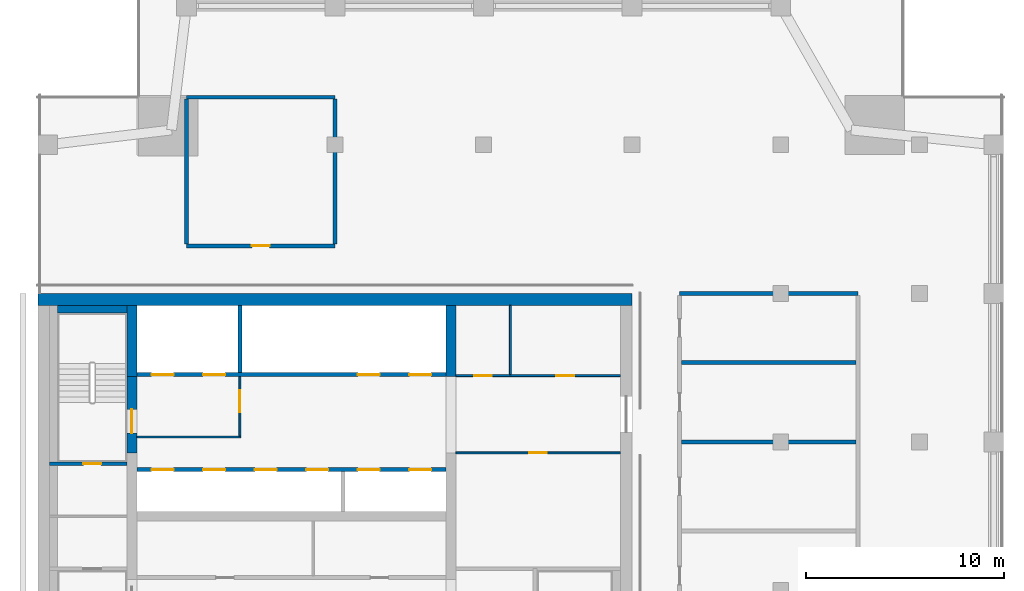
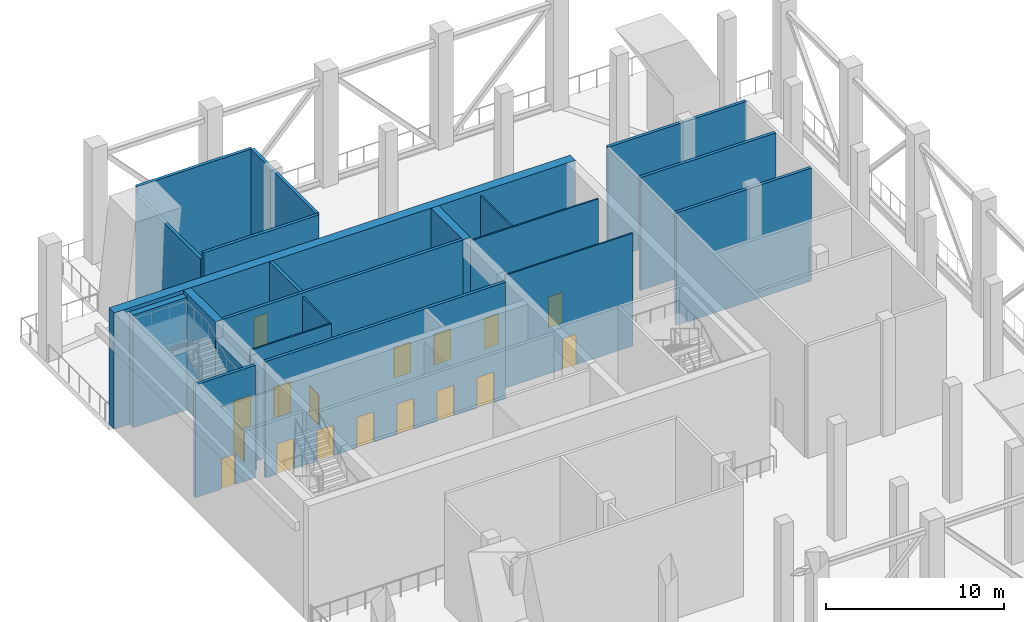
# One storey, part 3 of 11: 21 walls, 17 doors, 17 openings.
"""IFC4 building model written with IfcOpenShell, lengths in metres."""

from ifc_helpers import new_model, si_unit, direction, frame, frame_2d, origin, place, context, subcontext, project, spatial, rectangle, extrude, material, layer, layer_set, type_object, element, fill, save


model = new_model("IFC4")

# Units and contexts
model_context = context("Model", 3, precision=1e-05, world=origin(), true_north=direction((0.0, 1.0)))
body_context = subcontext(model_context, "Body", "Model", "MODEL_VIEW")
ifc_project = project(units=[si_unit("LENGTHUNIT", "METRE"), si_unit("AREAUNIT", "SQUARE_METRE"), si_unit("VOLUMEUNIT", "CUBIC_METRE"), si_unit("PLANEANGLEUNIT", "RADIAN"), si_unit("MASSUNIT", "GRAM", prefix="KILO")], contexts=[model_context])

# Site, building, storey
site_placement = place(None, origin())
site = spatial("IfcSite", under=ifc_project, at=site_placement, CompositionType="ELEMENT")
building_placement = place(site_placement, origin())
building = spatial("IfcBuilding", under=site, at=building_placement, Name="Tamorin Gate", CompositionType="ELEMENT")
storey_placement = place(building_placement, frame((0.0, 0.0, 258.199951171875)))
storey = spatial("IfcBuildingStorey", under=building, at=storey_placement, Name="L65", CompositionType="ELEMENT", Elevation=258.199951171875)

# Wall, openings, doors
ifc_material_1 = material(Name="Concrete C32/40", Category="concrete")
ifc_layer_1 = layer(ifc_material_1, 0.199951171875)
ifc_layer_set_1 = layer_set([ifc_layer_1], Name="Lift lobby face wall 200 EI 120")
wall_type_1 = type_object("IfcWallType", Name="Lift lobby face wall 200 EI 120", PredefinedType="SOLIDWALL", material=ifc_layer_set_1)
wall_1_placement = place(storey_placement, frame((35.0, 73.60009765625, 0.0), z_axis=(0.0, 0.0, 1.0), x_axis=(1.0, 0.0, 0.0)))
wall_1 = element("IfcWall", 1, at=wall_1_placement, inside=storey, type_object=wall_type_1, Name="Lift lobby face wall", PredefinedType="SOLIDWALL", context=body_context, shape_type="SweptSolid", body=[
    extrude(rectangle(XDim=15.60009765625, YDim=0.199951171875, at=frame_2d((7.800048828125, 0.0))), origin(), (0.0, 0.0, 1.0), 8.0),
])
opening_1_placement = place(wall_1_placement, frame((0.75, 0.0, 0.0)))
opening_1 = element("IfcOpeningElement", 2, at=opening_1_placement, cuts=wall_1, Name="Opening LD11", PredefinedType="OPENING", context=body_context, shape_type="SweptSolid", body=[
    extrude(rectangle(XDim=1.10009765625, YDim=2.10009765625, at=frame_2d((0.550048828125, 1.050048828125))), frame((0.0, 0.10986328125, 0.0), z_axis=(0.0, -1.0, 0.0), x_axis=(1.0, 0.0, 0.0)), (0.0, 0.0, 1.0), 0.219970703125),
])
opening_2_placement = place(wall_1_placement, frame((3.35009765625, 0.0, 0.0)))
opening_2 = element("IfcOpeningElement", 3, at=opening_2_placement, cuts=wall_1, Name="Opening LD12", PredefinedType="OPENING", context=body_context, shape_type="SweptSolid", body=[
    extrude(rectangle(XDim=1.10009765625, YDim=2.10009765625, at=frame_2d((0.550048828125, 1.050048828125))), frame((0.0, 0.10986328125, 0.0), z_axis=(0.0, -1.0, 0.0), x_axis=(1.0, 0.0, 0.0)), (0.0, 0.0, 1.0), 0.219970703125),
])
opening_3_placement = place(wall_1_placement, frame((5.949951171875, 0.0, 0.0)))
opening_3 = element("IfcOpeningElement", 4, at=opening_3_placement, cuts=wall_1, Name="Opening LD13", PredefinedType="OPENING", context=body_context, shape_type="SweptSolid", body=[
    extrude(rectangle(XDim=1.10009765625, YDim=2.10009765625, at=frame_2d((0.550048828125, 1.050048828125))), frame((0.0, 0.10986328125, 0.0), z_axis=(0.0, -1.0, 0.0), x_axis=(1.0, 0.0, 0.0)), (0.0, 0.0, 1.0), 0.219970703125),
])
opening_4_placement = place(wall_1_placement, frame((8.550048828125, 0.0, 0.0)))
opening_4 = element("IfcOpeningElement", 5, at=opening_4_placement, cuts=wall_1, Name="Opening LD14", PredefinedType="OPENING", context=body_context, shape_type="SweptSolid", body=[
    extrude(rectangle(XDim=1.10009765625, YDim=2.10009765625, at=frame_2d((0.550048828125, 1.050048828125))), frame((0.0, 0.10986328125, 0.0), z_axis=(0.0, -1.0, 0.0), x_axis=(1.0, 0.0, 0.0)), (0.0, 0.0, 1.0), 0.219970703125),
])
opening_5_placement = place(wall_1_placement, frame((11.14990234375, 0.0, 0.0)))
opening_5 = element("IfcOpeningElement", 6, at=opening_5_placement, cuts=wall_1, Name="Opening LD15", PredefinedType="OPENING", context=body_context, shape_type="SweptSolid", body=[
    extrude(rectangle(XDim=1.10009765625, YDim=2.10009765625, at=frame_2d((0.550048828125, 1.050048828125))), frame((0.0, 0.10986328125, 0.0), z_axis=(0.0, -1.0, 0.0), x_axis=(1.0, 0.0, 0.0)), (0.0, 0.0, 1.0), 0.219970703125),
])
opening_6_placement = place(wall_1_placement, frame((13.75, 0.0, 0.0)))
opening_6 = element("IfcOpeningElement", 7, at=opening_6_placement, cuts=wall_1, Name="Opening LD16", PredefinedType="OPENING", context=body_context, shape_type="SweptSolid", body=[
    extrude(rectangle(XDim=1.10009765625, YDim=2.10009765625, at=frame_2d((0.550048828125, 1.050048828125))), frame((0.0, 0.10986328125, 0.0), z_axis=(0.0, -1.0, 0.0), x_axis=(1.0, 0.0, 0.0)), (0.0, 0.0, 1.0), 0.219970703125),
])
ifc_material_2 = material(Name="Stainless steel sliding door", Category="steel")
door_type_1 = type_object("IfcDoorType", Name="Lift landing door 1100 x 2100 E 90", OperationType="DOUBLE_DOOR_SLIDING", PredefinedType="DOOR", material=ifc_material_2)
door_1_placement = place(opening_1_placement, origin())
door_1 = element("IfcDoor", 8, at=door_1_placement, inside=storey, type_object=door_type_1, Name="HR1 landing door", OperationType="DOUBLE_DOOR_SLIDING", OverallHeight=2.10009765625, OverallWidth=1.10009765625, PredefinedType="DOOR", context=body_context, shape_type="SweptSolid", body=[
    extrude(rectangle(XDim=1.10009765625, YDim=2.10009765625, at=frame_2d((0.550048828125, 1.050048828125))), frame((0.0, 0.02490234375, 0.0), z_axis=(0.0, -1.0, 0.0), x_axis=(1.0, 0.0, 0.0)), (0.0, 0.0, 1.0), 0.050048828125),
])
fill(opening_1, door_1)
door_2_placement = place(opening_2_placement, origin())
door_2 = element("IfcDoor", 9, at=door_2_placement, inside=storey, type_object=door_type_1, Name="HR2 landing door", OperationType="DOUBLE_DOOR_SLIDING", OverallHeight=2.10009765625, OverallWidth=1.10009765625, PredefinedType="DOOR", context=body_context, shape_type="SweptSolid", body=[
    extrude(rectangle(XDim=1.10009765625, YDim=2.10009765625, at=frame_2d((0.550048828125, 1.050048828125))), frame((0.0, 0.02490234375, 0.0), z_axis=(0.0, -1.0, 0.0), x_axis=(1.0, 0.0, 0.0)), (0.0, 0.0, 1.0), 0.050048828125),
])
fill(opening_2, door_2)
door_3_placement = place(opening_3_placement, origin())
door_3 = element("IfcDoor", 10, at=door_3_placement, inside=storey, type_object=door_type_1, Name="HR3 landing door", OperationType="DOUBLE_DOOR_SLIDING", OverallHeight=2.10009765625, OverallWidth=1.10009765625, PredefinedType="DOOR", context=body_context, shape_type="SweptSolid", body=[
    extrude(rectangle(XDim=1.10009765625, YDim=2.10009765625, at=frame_2d((0.550048828125, 1.050048828125))), frame((0.0, 0.02490234375, 0.0), z_axis=(0.0, -1.0, 0.0), x_axis=(1.0, 0.0, 0.0)), (0.0, 0.0, 1.0), 0.050048828125),
])
fill(opening_3, door_3)
door_4_placement = place(opening_4_placement, origin())
door_4 = element("IfcDoor", 11, at=door_4_placement, inside=storey, type_object=door_type_1, Name="HR4 landing door", OperationType="DOUBLE_DOOR_SLIDING", OverallHeight=2.10009765625, OverallWidth=1.10009765625, PredefinedType="DOOR", context=body_context, shape_type="SweptSolid", body=[
    extrude(rectangle(XDim=1.10009765625, YDim=2.10009765625, at=frame_2d((0.550048828125, 1.050048828125))), frame((0.0, 0.02490234375, 0.0), z_axis=(0.0, -1.0, 0.0), x_axis=(1.0, 0.0, 0.0)), (0.0, 0.0, 1.0), 0.050048828125),
])
fill(opening_4, door_4)
door_5_placement = place(opening_5_placement, origin())
door_5 = element("IfcDoor", 12, at=door_5_placement, inside=storey, type_object=door_type_1, Name="HR5 landing door", OperationType="DOUBLE_DOOR_SLIDING", OverallHeight=2.10009765625, OverallWidth=1.10009765625, PredefinedType="DOOR", context=body_context, shape_type="SweptSolid", body=[
    extrude(rectangle(XDim=1.10009765625, YDim=2.10009765625, at=frame_2d((0.550048828125, 1.050048828125))), frame((0.0, 0.02490234375, 0.0), z_axis=(0.0, -1.0, 0.0), x_axis=(1.0, 0.0, 0.0)), (0.0, 0.0, 1.0), 0.050048828125),
])
fill(opening_5, door_5)
door_6_placement = place(opening_6_placement, origin())
door_6 = element("IfcDoor", 13, at=door_6_placement, inside=storey, type_object=door_type_1, Name="HR6 landing door", OperationType="DOUBLE_DOOR_SLIDING", OverallHeight=2.10009765625, OverallWidth=1.10009765625, PredefinedType="DOOR", context=body_context, shape_type="SweptSolid", body=[
    extrude(rectangle(XDim=1.10009765625, YDim=2.10009765625, at=frame_2d((0.550048828125, 1.050048828125))), frame((0.0, 0.02490234375, 0.0), z_axis=(0.0, -1.0, 0.0), x_axis=(1.0, 0.0, 0.0)), (0.0, 0.0, 1.0), 0.050048828125),
])
fill(opening_6, door_6)

wall_2_placement = place(storey_placement, frame((35.0, 78.39990234375, 0.0), z_axis=(0.0, 0.0, 1.0), x_axis=(1.0, 0.0, 0.0)))
wall_2 = element("IfcWall", 14, at=wall_2_placement, inside=storey, type_object=wall_type_1, Name="Lift lobby face wall", PredefinedType="SOLIDWALL", context=body_context, shape_type="SweptSolid", body=[
    extrude(rectangle(XDim=15.60009765625, YDim=0.199951171875, at=frame_2d((7.800048828125, 0.0))), origin(), (0.0, 0.0, 1.0), 8.0),
])
opening_7_placement = place(wall_2_placement, frame((0.75, 0.0, 0.0)))
opening_7 = element("IfcOpeningElement", 15, at=opening_7_placement, cuts=wall_2, Name="Opening LD17", PredefinedType="OPENING", context=body_context, shape_type="SweptSolid", body=[
    extrude(rectangle(XDim=1.10009765625, YDim=2.10009765625, at=frame_2d((0.550048828125, 1.050048828125))), frame((0.0, 0.10986328125, 0.0), z_axis=(0.0, -1.0, 0.0), x_axis=(1.0, 0.0, 0.0)), (0.0, 0.0, 1.0), 0.219970703125),
])
opening_8_placement = place(wall_2_placement, frame((3.35009765625, 0.0, 0.0)))
opening_8 = element("IfcOpeningElement", 16, at=opening_8_placement, cuts=wall_2, Name="Opening LD18", PredefinedType="OPENING", context=body_context, shape_type="SweptSolid", body=[
    extrude(rectangle(XDim=1.10009765625, YDim=2.10009765625, at=frame_2d((0.550048828125, 1.050048828125))), frame((0.0, 0.10986328125, 0.0), z_axis=(0.0, -1.0, 0.0), x_axis=(1.0, 0.0, 0.0)), (0.0, 0.0, 1.0), 0.219970703125),
])
opening_9_placement = place(wall_2_placement, frame((11.14990234375, 0.0, 0.0)))
opening_9 = element("IfcOpeningElement", 17, at=opening_9_placement, cuts=wall_2, Name="Opening LD21", PredefinedType="OPENING", context=body_context, shape_type="SweptSolid", body=[
    extrude(rectangle(XDim=1.10009765625, YDim=2.10009765625, at=frame_2d((0.550048828125, 1.050048828125))), frame((0.0, 0.10986328125, 0.0), z_axis=(0.0, -1.0, 0.0), x_axis=(1.0, 0.0, 0.0)), (0.0, 0.0, 1.0), 0.219970703125),
])
opening_10_placement = place(wall_2_placement, frame((13.75, 0.0, 0.0)))
opening_10 = element("IfcOpeningElement", 18, at=opening_10_placement, cuts=wall_2, Name="Opening LD22", PredefinedType="OPENING", context=body_context, shape_type="SweptSolid", body=[
    extrude(rectangle(XDim=1.10009765625, YDim=2.10009765625, at=frame_2d((0.550048828125, 1.050048828125))), frame((0.0, 0.10986328125, 0.0), z_axis=(0.0, -1.0, 0.0), x_axis=(1.0, 0.0, 0.0)), (0.0, 0.0, 1.0), 0.219970703125),
])
door_7_placement = place(opening_7_placement, origin())
door_7 = element("IfcDoor", 19, at=door_7_placement, inside=storey, type_object=door_type_1, Name="FF1 landing door", OperationType="DOUBLE_DOOR_SLIDING", OverallHeight=2.10009765625, OverallWidth=1.10009765625, PredefinedType="DOOR", context=body_context, shape_type="SweptSolid", body=[
    extrude(rectangle(XDim=1.10009765625, YDim=2.10009765625, at=frame_2d((0.550048828125, 1.050048828125))), frame((0.0, 0.02490234375, 0.0), z_axis=(0.0, -1.0, 0.0), x_axis=(1.0, 0.0, 0.0)), (0.0, 0.0, 1.0), 0.050048828125),
])
fill(opening_7, door_7)
door_8_placement = place(opening_8_placement, origin())
door_8 = element("IfcDoor", 20, at=door_8_placement, inside=storey, type_object=door_type_1, Name="FF2 landing door", OperationType="DOUBLE_DOOR_SLIDING", OverallHeight=2.10009765625, OverallWidth=1.10009765625, PredefinedType="DOOR", context=body_context, shape_type="SweptSolid", body=[
    extrude(rectangle(XDim=1.10009765625, YDim=2.10009765625, at=frame_2d((0.550048828125, 1.050048828125))), frame((0.0, 0.02490234375, 0.0), z_axis=(0.0, -1.0, 0.0), x_axis=(1.0, 0.0, 0.0)), (0.0, 0.0, 1.0), 0.050048828125),
])
fill(opening_8, door_8)
door_9_placement = place(opening_9_placement, origin())
door_9 = element("IfcDoor", 21, at=door_9_placement, inside=storey, type_object=door_type_1, Name="SV1 landing door", OperationType="DOUBLE_DOOR_SLIDING", OverallHeight=2.10009765625, OverallWidth=1.10009765625, PredefinedType="DOOR", context=body_context, shape_type="SweptSolid", body=[
    extrude(rectangle(XDim=1.10009765625, YDim=2.10009765625, at=frame_2d((0.550048828125, 1.050048828125))), frame((0.0, 0.02490234375, 0.0), z_axis=(0.0, -1.0, 0.0), x_axis=(1.0, 0.0, 0.0)), (0.0, 0.0, 1.0), 0.050048828125),
])
fill(opening_9, door_9)
door_10_placement = place(opening_10_placement, origin())
door_10 = element("IfcDoor", 22, at=door_10_placement, inside=storey, type_object=door_type_1, Name="SV2 landing door", OperationType="DOUBLE_DOOR_SLIDING", OverallHeight=2.10009765625, OverallWidth=1.10009765625, PredefinedType="DOOR", context=body_context, shape_type="SweptSolid", body=[
    extrude(rectangle(XDim=1.10009765625, YDim=2.10009765625, at=frame_2d((0.550048828125, 1.050048828125))), frame((0.0, 0.02490234375, 0.0), z_axis=(0.0, -1.0, 0.0), x_axis=(1.0, 0.0, 0.0)), (0.0, 0.0, 1.0), 0.050048828125),
])
fill(opening_10, door_10)

# Walls
ifc_layer_2 = layer(ifc_material_1, 0.199951171875)
ifc_layer_set_2 = layer_set([ifc_layer_2], Name="Lift shaft wall 200 EI 120")
wall_type_2 = type_object("IfcWallType", Name="Lift shaft wall 200 EI 120", PredefinedType="SOLIDWALL", material=ifc_layer_set_2)
wall_3_placement = place(storey_placement, frame((40.199951171875, 78.5, 0.0), z_axis=(0.0, 0.0, 1.0), x_axis=(0.0, 1.0, 0.0)))
element("IfcWall", 23, at=wall_3_placement, inside=storey, type_object=wall_type_2, Name="Lift shaft wall", PredefinedType="SOLIDWALL", context=body_context, shape_type="SweptSolid", body=[
    extrude(rectangle(XDim=3.39990234375, YDim=0.199951171875, at=frame_2d((1.699951171875, 0.0))), origin(), (0.0, 0.0, 1.0), 8.0),
])
ifc_material_3 = material(Name="Fire-rated gypsum board partition")
ifc_layer_3 = layer(ifc_material_3, 0.10009765625)
ifc_layer_set_3 = layer_set([ifc_layer_3], Name="Lobby wall 100 EI 60")
wall_type_3 = type_object("IfcWallType", Name="Lobby wall 100 EI 60", PredefinedType="PARTITIONING", material=ifc_layer_set_3)
wall_4_placement = place(storey_placement, frame((35.0, 75.25, 0.0), z_axis=(0.0, 0.0, 1.0), x_axis=(1.0, 0.0, 0.0)))
element("IfcWall", 24, at=wall_4_placement, inside=storey, type_object=wall_type_3, Name="Firefighting lobby wall", PredefinedType="PARTITIONING", context=body_context, shape_type="SweptSolid", body=[
    extrude(rectangle(XDim=5.25, YDim=0.10009765625, at=frame_2d((2.625, 0.0))), origin(), (0.0, 0.0, 1.0), 7.75),
])

# Wall, opening, door
wall_5_placement = place(storey_placement, frame((40.199951171875, 75.300048828125, 0.0), z_axis=(0.0, 0.0, 1.0), x_axis=(0.0, 1.0, 0.0)))
wall_5 = element("IfcWall", 25, at=wall_5_placement, inside=storey, type_object=wall_type_3, Name="Firefighting lobby wall", PredefinedType="PARTITIONING", context=body_context, shape_type="SweptSolid", body=[
    extrude(rectangle(XDim=3.0, YDim=0.10009765625, at=frame_2d((1.5, 0.0))), origin(), (0.0, 0.0, 1.0), 7.75),
])
opening_11_placement = place(wall_5_placement, frame((1.199951171875, 0.0, 0.0)))
opening_11 = element("IfcOpeningElement", 26, at=opening_11_placement, cuts=wall_5, Name="Opening DF1", PredefinedType="OPENING", context=body_context, shape_type="SweptSolid", body=[
    extrude(rectangle(XDim=1.10009765625, YDim=2.10009765625, at=frame_2d((0.550048828125, 1.050048828125))), frame((0.0, 0.06005859375, 0.0), z_axis=(0.0, -1.0, 0.0), x_axis=(1.0, 0.0, 0.0)), (0.0, 0.0, 1.0), 0.1201171875),
])
ifc_material_4 = material(Name="Steel fire door", Category="steel")
door_type_2 = type_object("IfcDoorType", Name="Firefighting lobby door 1100 x 2100 EI 90", OperationType="SINGLE_SWING_LEFT", PredefinedType="DOOR", material=ifc_material_4)
door_11_placement = place(opening_11_placement, origin())
door_11 = element("IfcDoor", 27, at=door_11_placement, inside=storey, type_object=door_type_2, Name="Firefighting lobby door", OperationType="SINGLE_SWING_LEFT", OverallHeight=2.10009765625, OverallWidth=1.10009765625, PredefinedType="DOOR", context=body_context, shape_type="SweptSolid", body=[
    extrude(rectangle(XDim=1.10009765625, YDim=2.10009765625, at=frame_2d((0.550048828125, 1.050048828125))), frame((0.0, 0.02490234375, 0.0), z_axis=(0.0, -1.0, 0.0), x_axis=(1.0, 0.0, 0.0)), (0.0, 0.0, 1.0), 0.050048828125),
])
fill(opening_11, door_11)

# Walls
ifc_material_5 = material(Name="Gypsum board partition")
ifc_layer_4 = layer(ifc_material_5, 0.199951171875)
ifc_layer_set_4 = layer_set([ifc_layer_4], Name="Plant and refuge wall 200")
wall_type_4 = type_object("IfcWallType", Name="Plant and refuge wall 200", PredefinedType="PARTITIONING", material=ifc_layer_set_4)
for number, where, z_axis, x_axis, name in (
    (28, (62.5, 75.0, 0.0), (0.0, 0.0, 1.0), (1.0, 0.0, 0.0), "Plant and refuge wall 200"),
    (29, (62.5, 79.0, 0.0), (0.0, 0.0, 1.0), (1.0, 0.0, 0.0), "Plant and refuge wall 200"),
):
    element("IfcWall", number, at=place(storey_placement, frame(where, z_axis=z_axis, x_axis=x_axis)), inside=storey, type_object=wall_type_4, Name=name, PredefinedType="PARTITIONING", context=body_context, shape_type="SweptSolid", body=[
        extrude(rectangle(XDim=8.800048828125, YDim=0.199951171875, at=frame_2d((4.39990234375, 0.0))), origin(), (0.0, 0.0, 1.0), 7.75),
    ])
wall_6_placement = place(storey_placement, frame((62.39990234375, 82.5, 0.0), z_axis=(0.0, 0.0, 1.0), x_axis=(1.0, 0.0, 0.0)))
element("IfcWall", 30, at=wall_6_placement, inside=storey, type_object=wall_type_4, Name="Plant and refuge wall 200", PredefinedType="PARTITIONING", context=body_context, shape_type="SweptSolid", body=[
    extrude(rectangle(XDim=9.0, YDim=0.199951171875, at=frame_2d((4.5, 0.0))), origin(), (0.0, 0.0, 1.0), 7.75),
])

# Wall, opening, door
wall_7_placement = place(storey_placement, frame((37.5, 84.89990234375, 0.0), z_axis=(0.0, 0.0, 1.0), x_axis=(1.0, 0.0, 0.0)))
wall_7 = element("IfcWall", 31, at=wall_7_placement, inside=storey, type_object=wall_type_4, Name="Plant and refuge wall 200", PredefinedType="PARTITIONING", context=body_context, shape_type="SweptSolid", body=[
    extrude(rectangle(XDim=7.5, YDim=0.199951171875, at=frame_2d((3.75, 0.0))), origin(), (0.0, 0.0, 1.0), 7.75),
])
opening_12_placement = place(wall_7_placement, frame((3.300048828125, 0.0, 0.0)))
opening_12 = element("IfcOpeningElement", 32, at=opening_12_placement, cuts=wall_7, Name="Opening DWF2008", PredefinedType="OPENING", context=body_context, shape_type="SweptSolid", body=[
    extrude(rectangle(XDim=0.89990234375, YDim=2.10009765625, at=frame_2d((0.449951171875, 1.050048828125))), frame((0.0, 0.10986328125, 0.0), z_axis=(0.0, -1.0, 0.0), x_axis=(1.0, 0.0, 0.0)), (0.0, 0.0, 1.0), 0.219970703125),
])
ifc_material_6 = material(Name="Timber door leaf", Category="wood")
door_type_3 = type_object("IfcDoorType", Name="Door 900 x 2100 FD60", OperationType="NOTDEFINED", PredefinedType="DOOR", material=ifc_material_6)
door_12_placement = place(opening_12_placement, origin())
door_12 = element("IfcDoor", 33, at=door_12_placement, inside=storey, type_object=door_type_3, Name="Door DWF2008", OperationType="SINGLE_SWING_LEFT", OverallHeight=2.10009765625, OverallWidth=0.89990234375, PredefinedType="DOOR", context=body_context, shape_type="SweptSolid", body=[
    extrude(rectangle(XDim=0.89990234375, YDim=2.10009765625, at=frame_2d((0.449951171875, 1.050048828125))), frame((0.0, 0.02490234375, 0.0), z_axis=(0.0, -1.0, 0.0), x_axis=(1.0, 0.0, 0.0)), (0.0, 0.0, 1.0), 0.050048828125),
])
fill(opening_12, door_12)

# Walls
wall_8_placement = place(storey_placement, frame((37.5, 92.39990234375, 0.0), z_axis=(0.0, 0.0, 1.0), x_axis=(1.0, 0.0, 0.0)))
element("IfcWall", 34, at=wall_8_placement, inside=storey, type_object=wall_type_4, Name="Plant and refuge wall 200", PredefinedType="PARTITIONING", context=body_context, shape_type="SweptSolid", body=[
    extrude(rectangle(XDim=7.5, YDim=0.199951171875, at=frame_2d((3.75, 0.0))), origin(), (0.0, 0.0, 1.0), 7.75),
])
wall_9_placement = place(storey_placement, frame((37.5, 85.0, 0.0), z_axis=(0.0, 0.0, 1.0), x_axis=(0.0, 1.0, 0.0)))
element("IfcWall", 35, at=wall_9_placement, inside=storey, type_object=wall_type_4, Name="Plant and refuge wall 200", PredefinedType="PARTITIONING", context=body_context, shape_type="SweptSolid", body=[
    extrude(rectangle(XDim=7.300048828125, YDim=0.199951171875, at=frame_2d((3.64990234375, 0.0))), origin(), (0.0, 0.0, 1.0), 7.25),
])
wall_10_placement = place(storey_placement, frame((45.0, 85.0, 0.0), z_axis=(0.0, 0.0, 1.0), x_axis=(0.0, 1.0, 0.0)))
element("IfcWall", 36, at=wall_10_placement, inside=storey, type_object=wall_type_4, Name="Plant and refuge wall 200", PredefinedType="PARTITIONING", context=body_context, shape_type="SweptSolid", body=[
    extrude(rectangle(XDim=7.300048828125, YDim=0.199951171875, at=frame_2d((3.64990234375, 0.0))), origin(), (0.0, 0.0, 1.0), 7.75),
])
ifc_material_7 = material(Name="Concrete C50/60", Category="concrete")
ifc_layer_5 = layer(ifc_material_7, 0.5)
ifc_layer_set_5 = layer_set([ifc_layer_5], Name="RC core internal wall 500 C50/60")
wall_type_5 = type_object("IfcWallType", Name="RC core internal wall 500 C50/60", PredefinedType="SHEAR", material=ifc_layer_set_5)
for number, where, z_axis, x_axis, name in (
    (37, (34.75, 78.300048828125, 0.0), (0.0, 0.0, 1.0), (0.0, 1.0, 0.0), "Core cross wall L65"),
    (38, (50.85009765625, 78.300048828125, 0.0), (0.0, 0.0, 1.0), (0.0, 1.0, 0.0), "Core cross wall L65"),
):
    element("IfcWall", number, at=place(storey_placement, frame(where, z_axis=z_axis, x_axis=x_axis)), inside=storey, type_object=wall_type_5, Name=name, PredefinedType="SHEAR", context=body_context, shape_type="SweptSolid", body=[
        extrude(rectangle(XDim=3.599853515625, YDim=0.5, at=frame_2d((1.7998046875, 0.0))), origin(), (0.0, 0.0, 1.0), 8.0),
    ])
ifc_layer_6 = layer(ifc_material_7, 0.60009765625)
ifc_layer_set_6 = layer_set([ifc_layer_6], Name="RC core wall 600 C50/60")
wall_type_6 = type_object("IfcWallType", Name="RC core wall 600 C50/60", PredefinedType="SHEAR", material=ifc_layer_set_6)
wall_11_placement = place(storey_placement, frame((30.0, 82.199951171875, 0.0), z_axis=(0.0, 0.0, 1.0), x_axis=(1.0, 0.0, 0.0)))
element("IfcWall", 39, at=wall_11_placement, inside=storey, type_object=wall_type_6, Name="Core wall L65", PredefinedType="SHEAR", context=body_context, shape_type="SweptSolid", body=[
    extrude(rectangle(XDim=30.0, YDim=0.60009765625, at=frame_2d((15.0, 0.0))), origin(), (0.0, 0.0, 1.0), 8.0),
])

# Wall, opening, door
ifc_layer_7 = layer(ifc_material_5, 0.10009765625)
ifc_layer_set_7 = layer_set([ifc_layer_7], Name="Service room partition 100 EI 60")
wall_type_7 = type_object("IfcWallType", Name="Service room partition 100 EI 60", PredefinedType="PARTITIONING", material=ifc_layer_set_7)
wall_12_placement = place(storey_placement, frame((51.10009765625, 74.449951171875, 0.0), z_axis=(0.0, 0.0, 1.0), x_axis=(1.0, 0.0, 0.0)))
wall_12 = element("IfcWall", 40, at=wall_12_placement, inside=storey, type_object=wall_type_7, Name="Service room wall", PredefinedType="PARTITIONING", context=body_context, shape_type="SweptSolid", body=[
    extrude(rectangle(XDim=8.2998046875, YDim=0.10009765625, at=frame_2d((4.14990234375, 0.0))), origin(), (0.0, 0.0, 1.0), 7.75),
])
opening_13_placement = place(wall_12_placement, frame((3.699951171875, 0.0, 0.0)))
opening_13 = element("IfcOpeningElement", 41, at=opening_13_placement, cuts=wall_12, Name="Opening DR1", PredefinedType="OPENING", context=body_context, shape_type="SweptSolid", body=[
    extrude(rectangle(XDim=0.89990234375, YDim=2.10009765625, at=frame_2d((0.449951171875, 1.050048828125))), frame((0.0, 0.06005859375, 0.0), z_axis=(0.0, -1.0, 0.0), x_axis=(1.0, 0.0, 0.0)), (0.0, 0.0, 1.0), 0.1201171875),
])
door_type_4 = type_object("IfcDoorType", Name="Riser access door 900 x 2100 EI 120", OperationType="SINGLE_SWING_LEFT", PredefinedType="DOOR", material=ifc_material_4)
door_13_placement = place(opening_13_placement, origin())
door_13 = element("IfcDoor", 42, at=door_13_placement, inside=storey, type_object=door_type_4, Name="Duct riser door", OperationType="SINGLE_SWING_LEFT", OverallHeight=2.10009765625, OverallWidth=0.89990234375, PredefinedType="DOOR", context=body_context, shape_type="SweptSolid", body=[
    extrude(rectangle(XDim=0.89990234375, YDim=2.10009765625, at=frame_2d((0.449951171875, 1.050048828125))), frame((0.0, 0.02490234375, 0.0), z_axis=(0.0, -1.0, 0.0), x_axis=(1.0, 0.0, 0.0)), (0.0, 0.0, 1.0), 0.050048828125),
])
fill(opening_13, door_13)

# Wall, openings, doors
wall_13_placement = place(storey_placement, frame((51.10009765625, 78.35009765625, 0.0), z_axis=(0.0, 0.0, 1.0), x_axis=(1.0, 0.0, 0.0)))
wall_13 = element("IfcWall", 43, at=wall_13_placement, inside=storey, type_object=wall_type_7, Name="Service room wall", PredefinedType="PARTITIONING", context=body_context, shape_type="SweptSolid", body=[
    extrude(rectangle(XDim=8.2998046875, YDim=0.10009765625, at=frame_2d((4.14990234375, 0.0))), origin(), (0.0, 0.0, 1.0), 7.75),
])
opening_14_placement = place(wall_13_placement, frame((0.925048828125, 0.0, 0.0)))
opening_14 = element("IfcOpeningElement", 44, at=opening_14_placement, cuts=wall_13, Name="Opening DK1", PredefinedType="OPENING", context=body_context, shape_type="SweptSolid", body=[
    extrude(rectangle(XDim=0.89990234375, YDim=2.10009765625, at=frame_2d((0.449951171875, 1.050048828125))), frame((0.0, 0.06005859375, 0.0), z_axis=(0.0, -1.0, 0.0), x_axis=(1.0, 0.0, 0.0)), (0.0, 0.0, 1.0), 0.1201171875),
])
opening_15_placement = place(wall_13_placement, frame((5.074951171875, 0.0, 0.0)))
opening_15 = element("IfcOpeningElement", 45, at=opening_15_placement, cuts=wall_13, Name="Opening DK1", PredefinedType="OPENING", context=body_context, shape_type="SweptSolid", body=[
    extrude(rectangle(XDim=0.89990234375, YDim=2.10009765625, at=frame_2d((0.449951171875, 1.050048828125))), frame((0.0, 0.06005859375, 0.0), z_axis=(0.0, -1.0, 0.0), x_axis=(1.0, 0.0, 0.0)), (0.0, 0.0, 1.0), 0.1201171875),
])
ifc_material_8 = material(Name="Timber fire door", Category="wood")
door_type_5 = type_object("IfcDoorType", Name="Service room door 900 x 2100 EI 60", OperationType="SINGLE_SWING_LEFT", PredefinedType="DOOR", material=ifc_material_8)
door_14_placement = place(opening_14_placement, origin())
door_14 = element("IfcDoor", 46, at=door_14_placement, inside=storey, type_object=door_type_5, Name="Door Electrical switch room", OperationType="SINGLE_SWING_LEFT", OverallHeight=2.10009765625, OverallWidth=0.89990234375, PredefinedType="DOOR", context=body_context, shape_type="SweptSolid", body=[
    extrude(rectangle(XDim=0.89990234375, YDim=2.10009765625, at=frame_2d((0.449951171875, 1.050048828125))), frame((0.0, 0.02490234375, 0.0), z_axis=(0.0, -1.0, 0.0), x_axis=(1.0, 0.0, 0.0)), (0.0, 0.0, 1.0), 0.050048828125),
])
fill(opening_14, door_14)
door_15_placement = place(opening_15_placement, origin())
door_15 = element("IfcDoor", 47, at=door_15_placement, inside=storey, type_object=door_type_5, Name="Door Fire pump room", OperationType="SINGLE_SWING_RIGHT", OverallHeight=2.10009765625, OverallWidth=0.89990234375, PredefinedType="DOOR", context=body_context, shape_type="SweptSolid", body=[
    extrude(rectangle(XDim=0.89990234375, YDim=2.10009765625, at=frame_2d((0.449951171875, 1.050048828125))), frame((0.0, 0.02490234375, 0.0), z_axis=(0.0, -1.0, 0.0), x_axis=(1.0, 0.0, 0.0)), (0.0, 0.0, 1.0), 0.050048828125),
])
fill(opening_15, door_15)

# Wall
wall_14_placement = place(storey_placement, frame((53.85009765625, 78.39990234375, 0.0), z_axis=(0.0, 0.0, 1.0), x_axis=(0.0, 1.0, 0.0)))
element("IfcWall", 48, at=wall_14_placement, inside=storey, type_object=wall_type_7, Name="Service room partition", PredefinedType="PARTITIONING", context=body_context, shape_type="SweptSolid", body=[
    extrude(rectangle(XDim=3.5, YDim=0.10009765625, at=frame_2d((1.75, 0.0))), origin(), (0.0, 0.0, 1.0), 7.75),
])

# Wall, opening, door
ifc_material_9 = material(Name="Concrete C40/50", Category="concrete")
ifc_layer_8 = layer(ifc_material_9, 0.199951171875)
ifc_layer_set_8 = layer_set([ifc_layer_8], Name="Stair enclosure wall 200 EI 120 C40/50")
wall_type_8 = type_object("IfcWallType", Name="Stair enclosure wall 200 EI 120 C40/50", PredefinedType="SOLIDWALL", material=ifc_layer_set_8)
wall_15_placement = place(storey_placement, frame((30.60009765625, 73.89990234375, 0.0), z_axis=(0.0, 0.0, 1.0), x_axis=(1.0, 0.0, 0.0)))
wall_15 = element("IfcWall", 49, at=wall_15_placement, inside=storey, type_object=wall_type_8, Name="Stair enclosure wall", PredefinedType="SOLIDWALL", context=body_context, shape_type="SweptSolid", body=[
    extrude(rectangle(XDim=3.89990234375, YDim=0.199951171875, at=frame_2d((1.949951171875, 0.0))), origin(), (0.0, 0.0, 1.0), 7.75),
])
opening_16_placement = place(wall_15_placement, frame((1.699951171875, 0.0, 0.0)))
opening_16 = element("IfcOpeningElement", 50, at=opening_16_placement, cuts=wall_15, Name="Opening DR1", PredefinedType="OPENING", context=body_context, shape_type="SweptSolid", body=[
    extrude(rectangle(XDim=0.89990234375, YDim=2.10009765625, at=frame_2d((0.449951171875, 1.050048828125))), frame((0.0, 0.10986328125, 0.0), z_axis=(0.0, -1.0, 0.0), x_axis=(1.0, 0.0, 0.0)), (0.0, 0.0, 1.0), 0.219970703125),
])
door_16_placement = place(opening_16_placement, origin())
door_16 = element("IfcDoor", 51, at=door_16_placement, inside=storey, type_object=door_type_4, Name="Communications riser door", OperationType="SINGLE_SWING_RIGHT", OverallHeight=2.10009765625, OverallWidth=0.89990234375, PredefinedType="DOOR", context=body_context, shape_type="SweptSolid", body=[
    extrude(rectangle(XDim=0.89990234375, YDim=2.10009765625, at=frame_2d((0.449951171875, 1.050048828125))), frame((0.0, 0.02490234375, 0.0), z_axis=(0.0, -1.0, 0.0), x_axis=(1.0, 0.0, 0.0)), (0.0, 0.0, 1.0), 0.050048828125),
])
fill(opening_16, door_16)

# Wall
ifc_layer_9 = layer(ifc_material_7, 0.39990234375)
ifc_layer_set_9 = layer_set([ifc_layer_9], Name="Stair lining wall 400 EI 120 C50/60")
wall_type_9 = type_object("IfcWallType", Name="Stair lining wall 400 EI 120 C50/60", PredefinedType="SOLIDWALL", material=ifc_layer_set_9)
wall_16_placement = place(storey_placement, frame((31.0, 81.699951171875, 0.0), z_axis=(0.0, 0.0, 1.0), x_axis=(1.0, 0.0, 0.0)))
element("IfcWall", 52, at=wall_16_placement, inside=storey, type_object=wall_type_9, Name="Stair lining wall", PredefinedType="SOLIDWALL", context=body_context, shape_type="SweptSolid", body=[
    extrude(rectangle(XDim=3.5, YDim=0.39990234375, at=frame_2d((1.75, 0.0))), origin(), (0.0, 0.0, 1.0), 7.75),
])

# Wall, opening, door
ifc_layer_10 = layer(ifc_material_1, 0.5)
ifc_layer_set_10 = layer_set([ifc_layer_10], Name="Stair lobby infill wall 500 EI 120")
wall_type_10 = type_object("IfcWallType", Name="Stair lobby infill wall 500 EI 120", PredefinedType="SOLIDWALL", material=ifc_layer_set_10)
wall_17_placement = place(storey_placement, frame((34.75, 74.449951171875, 0.0), z_axis=(0.0, 0.0, 1.0), x_axis=(0.0, 1.0, 0.0)))
wall_17 = element("IfcWall", 53, at=wall_17_placement, inside=storey, type_object=wall_type_10, Name="Stair lobby infill wall", PredefinedType="SOLIDWALL", context=body_context, shape_type="SweptSolid", body=[
    extrude(rectangle(XDim=3.85009765625, YDim=0.5, at=frame_2d((1.925048828125, 0.0))), origin(), (0.0, 0.0, 1.0), 6.800048828125),
])
opening_17_placement = place(wall_17_placement, frame((1.0, 0.0, 0.0)))
opening_17 = element("IfcOpeningElement", 54, at=opening_17_placement, cuts=wall_17, Name="Opening DS1", PredefinedType="OPENING", context=body_context, shape_type="SweptSolid", body=[
    extrude(rectangle(XDim=1.199951171875, YDim=2.10009765625, at=frame_2d((0.60009765625, 1.050048828125))), frame((0.0, 0.260009765625, 0.0), z_axis=(0.0, -1.0, 0.0), x_axis=(1.0, 0.0, 0.0)), (0.0, 0.0, 1.0), 0.52001953125),
])
door_type_6 = type_object("IfcDoorType", Name="Stair door 1200 x 2100 EI 90", OperationType="SINGLE_SWING_LEFT", PredefinedType="DOOR", material=ifc_material_4)
door_17_placement = place(opening_17_placement, origin())
door_17 = element("IfcDoor", 55, at=door_17_placement, inside=storey, type_object=door_type_6, Name="ST2 door", OperationType="SINGLE_SWING_RIGHT", OverallHeight=2.10009765625, OverallWidth=1.199951171875, PredefinedType="DOOR", context=body_context, shape_type="SweptSolid", body=[
    extrude(rectangle(XDim=1.199951171875, YDim=2.10009765625, at=frame_2d((0.60009765625, 1.050048828125))), frame((0.0, 0.02490234375, 0.0), z_axis=(0.0, -1.0, 0.0), x_axis=(1.0, 0.0, 0.0)), (0.0, 0.0, 1.0), 0.050048828125),
])
fill(opening_17, door_17)

save(model, "model.ifc")
